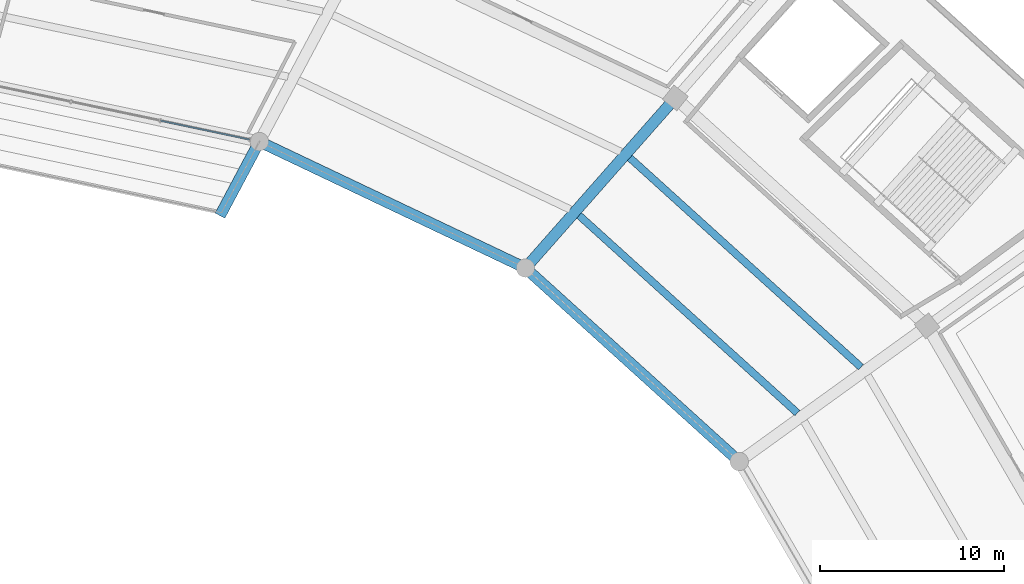
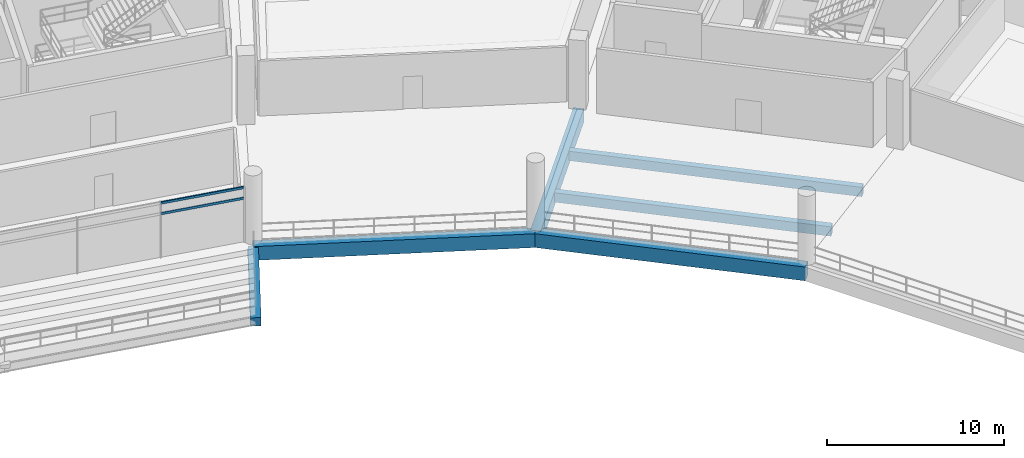
# One storey, part 110 of 171: 6 beams, 2 members, 1 element without a shape of its own.
"""IFC4 building model written with IfcOpenShell, lengths in metres."""

from ifc_helpers import new_model, si_unit, direction, frame, origin, origin_2d, place, context, subcontext, project, spatial, rectangle, hollow_rectangle, extrude, material, layer, layer_set, material_profile, profile_set, type_object, element, aggregate, save


model = new_model("IFC4")

# Units and contexts
model_context = context("Model", 3, precision=1e-05, world=origin(), true_north=direction((0.0, 1.0)))
body_context = subcontext(model_context, "Body", "Model", "MODEL_VIEW")
ifc_project = project(units=[si_unit("LENGTHUNIT", "METRE"), si_unit("AREAUNIT", "SQUARE_METRE"), si_unit("VOLUMEUNIT", "CUBIC_METRE"), si_unit("PLANEANGLEUNIT", "RADIAN"), si_unit("MASSUNIT", "GRAM", prefix="KILO")], contexts=[model_context])

# Site, building, storey
site_placement = place(None, origin())
site = spatial("IfcSite", under=ifc_project, at=site_placement, CompositionType="ELEMENT")
building_placement = place(site_placement, origin())
building = spatial("IfcBuilding", under=site, at=building_placement, Name="Kazemori Nagisa Stadium", CompositionType="ELEMENT")
storey_placement = place(building_placement, frame((0.0, 0.0, 15.639892578125)))
storey = spatial("IfcBuildingStorey", under=building, at=storey_placement, Name="L03", CompositionType="ELEMENT", Elevation=15.639892578125)

# Beams
ifc_material_1 = material(Name="Concrete C40/50 (Fc42)", Category="concrete")
ifc_material_profile_1 = material_profile(ifc_material_1, rectangle(XDim=0.60009765625, YDim=0.949951171875, at=origin_2d()), Name="RC-BM-600x950")
ifc_profile_set_1 = profile_set([ifc_material_profile_1], Name="Concrete C40/50 (Fc42)")
beam_type_1 = type_object("IfcBeamType", Name="Beam_BG-RC600X950", PredefinedType="BEAM", material=ifc_profile_set_1)
beam_1_placement = place(storey_placement, frame((180.301513671875, 143.367431640625, -0.73486328125), z_axis=(-0.741349160152, 0.6711195294, 0.0), x_axis=(-0.6711195294, -0.741349160152, 0.0)))
element("IfcBeam", 1, at=beam_1_placement, inside=storey, type_object=beam_type_1, Name="Ring girder BG-RC600X950 L03 R1-04", PredefinedType="BEAM", context=body_context, shape_type="SweptSolid", body=[
    extrude(rectangle(XDim=0.60009765625, YDim=0.949951171875, at=origin_2d()), origin(), (0.0, 0.0, 1.0), 15.65380859375),
])
beam_2_placement = place(storey_placement, frame((168.696533203125, 153.873046875, -0.73486328125), z_axis=(-0.903211989129, 0.429194714196, 0.0), x_axis=(-0.429194714196, -0.903211989129, 0.0)))
element("IfcBeam", 2, at=beam_2_placement, inside=storey, type_object=beam_type_1, Name="Ring girder BG-RC600X950 L03 R1-05", PredefinedType="BEAM", context=body_context, shape_type="SweptSolid", body=[
    extrude(rectangle(XDim=0.60009765625, YDim=0.949951171875, at=origin_2d()), origin(), (0.0, 0.0, 1.0), 15.997314453125),
])
beam_3_placement = place(storey_placement, frame((168.696533203125, 153.873046875, -0.73486328125), z_axis=(0.66101406015, 0.75037351518, 0.0), x_axis=(-0.75037351518, 0.66101406015, 0.0)))
element("IfcBeam", 3, at=beam_3_placement, inside=storey, type_object=beam_type_1, Name="Radial girder BG-RC600X950 L03 R1-R2-05", PredefinedType="BEAM", context=body_context, shape_type="SweptSolid", body=[
    extrude(rectangle(XDim=0.60009765625, YDim=0.949951171875, at=origin_2d()), origin(), (0.0, 0.0, 1.0), 12.31103515625),
])
ifc_material_profile_2 = material_profile(ifc_material_1, rectangle(XDim=0.39990234375, YDim=0.64990234375, at=origin_2d()), Name="RC-BM-400x650")
ifc_profile_set_2 = profile_set([ifc_material_profile_2], Name="Concrete C40/50 (Fc42)")
beam_type_2 = type_object("IfcBeamType", Name="Beam_BJ-RC400X650", PredefinedType="JOIST", material=ifc_profile_set_2)
beam_4_placement = place(storey_placement, frame((183.458251953125, 146.001953125, -0.5849609375), z_axis=(-0.741344716793, 0.671124437704, 0.0), x_axis=(-0.671124437704, -0.741344716793, 0.0)))
element("IfcBeam", 4, at=beam_4_placement, inside=storey, type_object=beam_type_2, Name="Concourse joist BJ-RC400X650 L03 B04-1", PredefinedType="JOIST", context=body_context, shape_type="SweptSolid", body=[
    extrude(rectangle(XDim=0.39990234375, YDim=0.64990234375, at=origin_2d()), origin(), (0.0, 0.0, 1.0), 15.986328125),
])
beam_5_placement = place(storey_placement, frame((186.912109375, 148.495361328125, -0.5849609375), z_axis=(-0.741349213887, 0.671119470041, 0.0), x_axis=(-0.671119470041, -0.741349213887, 0.0)))
element("IfcBeam", 5, at=beam_5_placement, inside=storey, type_object=beam_type_2, Name="Concourse joist BJ-RC400X650 L03 B04-2", PredefinedType="JOIST", context=body_context, shape_type="SweptSolid", body=[
    extrude(rectangle(XDim=0.39990234375, YDim=0.64990234375, at=origin_2d()), origin(), (0.0, 0.0, 1.0), 16.9296875),
])
ifc_material_profile_3 = material_profile(ifc_material_1, rectangle(XDim=0.60009765625, YDim=0.89990234375, at=origin_2d()), Name="RC-RK-600x900")
ifc_profile_set_3 = profile_set([ifc_material_profile_3], Name="Concrete C40/50 (Fc42)")
beam_type_3 = type_object("IfcBeamType", Name="Beam_RK-RC600X900", PredefinedType="USERDEFINED", material=ifc_profile_set_3)
beam_6_placement = place(storey_placement, frame((152.19287109375, 156.876708984375, -2.58984375), z_axis=(0.430791222915, 0.809781029767, 0.39833855712), x_axis=(-0.882846788925, 0.469661098331, 0.0)))
element("IfcBeam", 6, at=beam_6_placement, inside=storey, type_object=beam_type_3, Name="Raker beam club RK2-06", ObjectType="RAKER BEAM", PredefinedType="USERDEFINED", context=body_context, shape_type="SweptSolid", body=[
    extrude(rectangle(XDim=0.60009765625, YDim=0.89990234375, at=origin_2d()), origin(), (0.0, 0.0, 1.0), 4.76953125),
])

# Curtain wall, members
ifc_material_2 = material(Name="Anodised aluminium 6063-T5", Category="aluminium")
ifc_layer = layer(ifc_material_2, 0.2099609375, Name="Anodised aluminium 6063-T5", Category="aluminium")
ifc_layer_set = layer_set([ifc_layer], Name="Anodised aluminium 6063-T5")
curtain_wall_type = type_object("IfcCurtainWallType", Name="CW_L03B_75", PredefinedType="USERDEFINED", material=ifc_layer_set)
curtain_wall_placement = place(storey_placement, origin())
curtain_wall = element("IfcCurtainWall", 7, at=curtain_wall_placement, inside=storey, type_object=curtain_wall_type, Name="Unitised curtain wall CW-L03B-75 L03", ObjectType="UNITISED CURTAIN WALL", PredefinedType="USERDEFINED")
ifc_material_3 = material(Name="Aluminium 6063-T5 anodised", Category="aluminium")
ifc_material_profile_4 = material_profile(ifc_material_3, hollow_rectangle(XDim=0.080078125, YDim=0.159912109375, WallThickness=0.00390625, at=origin_2d()), Name="ALU-TRAN-80x160x4")
ifc_profile_set_4 = profile_set([ifc_material_profile_4], Name="Aluminium 6063-T5 anodised")
member_type = type_object("IfcMemberType", Name="Transom_T02", PredefinedType="USERDEFINED", material=ifc_profile_set_4)
member_1_placement = place(storey_placement, frame((153.70458984375, 160.853759765625, 3.010009765625), z_axis=(-0.978348737064, 0.206963157798, 0.0), x_axis=(-0.206963157798, -0.978348737064, 0.0)))
member_1 = element("IfcMember", 8, at=member_1_placement, type_object=member_type, Name="Curtain wall transom CW-L03B-75-T1-mid", ObjectType="TRANSOM", PredefinedType="USERDEFINED", context=body_context, shape_type="SweptSolid", body=[
    extrude(hollow_rectangle(XDim=0.080078125, YDim=0.159912109375, WallThickness=0.00390625, at=origin_2d()), origin(), (0.0, 0.0, 1.0), 4.920166015625),
])
member_2_placement = place(storey_placement, frame((153.70458984375, 160.853759765625, 3.739990234375), z_axis=(-0.978348737064, 0.206963157798, 0.0), x_axis=(-0.206963157798, -0.978348737064, 0.0)))
member_2 = element("IfcMember", 9, at=member_2_placement, type_object=member_type, Name="Curtain wall transom CW-L03B-75-T1-head", ObjectType="TRANSOM", PredefinedType="USERDEFINED", context=body_context, shape_type="SweptSolid", body=[
    extrude(hollow_rectangle(XDim=0.080078125, YDim=0.159912109375, WallThickness=0.00390625, at=origin_2d()), origin(), (0.0, 0.0, 1.0), 4.920166015625),
])
aggregate(curtain_wall, [member_1, member_2])

save(model, "model.ifc")
